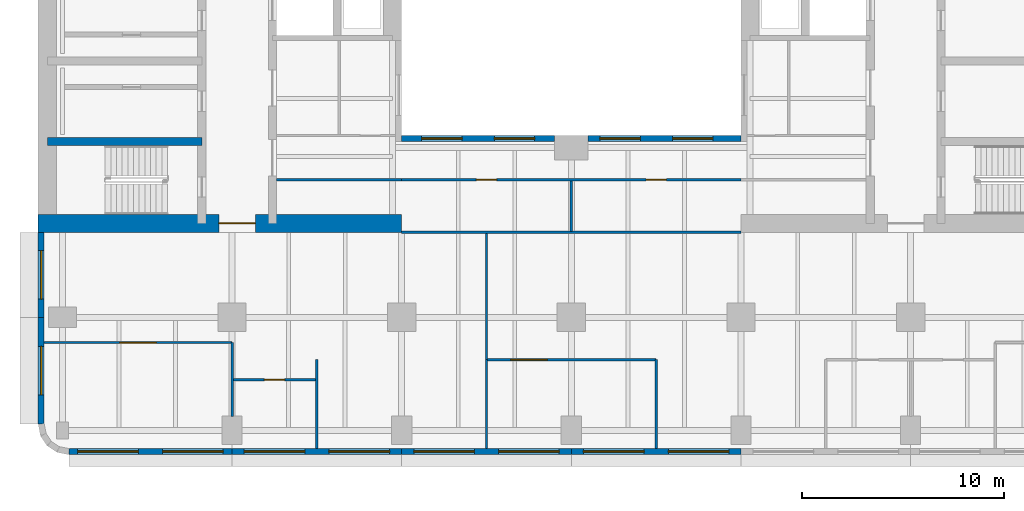
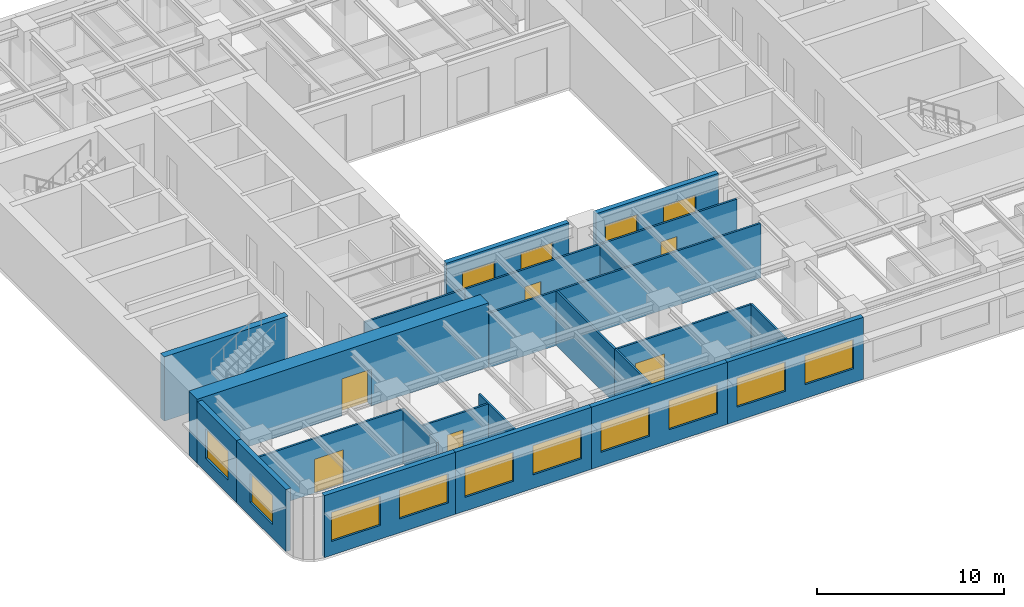
# One storey, part 3 of 11: 22 walls, 14 windows, 6 doors, 20 openings.
"""IFC4 building model written with IfcOpenShell, lengths in metres."""

from ifc_helpers import new_model, si_unit, direction, frame, frame_2d, origin, place, context, subcontext, project, spatial, rectangle, extrude, material, layer, layer_set, type_object, element, fill, save


model = new_model("IFC4")

# Units and contexts
model_context = context("Model", 3, precision=1e-05, world=origin(), true_north=direction((0.0, 1.0)))
body_context = subcontext(model_context, "Body", "Model", "MODEL_VIEW")
ifc_project = project(units=[si_unit("LENGTHUNIT", "METRE"), si_unit("AREAUNIT", "SQUARE_METRE"), si_unit("VOLUMEUNIT", "CUBIC_METRE"), si_unit("PLANEANGLEUNIT", "RADIAN"), si_unit("MASSUNIT", "GRAM", prefix="KILO")], contexts=[model_context])

# Site, building, storey
site_placement = place(None, origin())
site = spatial("IfcSite", under=ifc_project, at=site_placement, CompositionType="ELEMENT")
building_placement = place(site_placement, origin())
building = spatial("IfcBuilding", under=site, at=building_placement, Name="Claustro Exchange Tower", CompositionType="ELEMENT")
storey_placement = place(building_placement, frame((0.0, 0.0, 155.39990234375)))
storey = spatial("IfcBuildingStorey", under=building, at=storey_placement, Name="L35", CompositionType="ELEMENT", Elevation=155.39990234375)

# Wall, opening, door
ifc_material_1 = material(Name="Laminated glass in aluminium frame", Category="aluminium")
ifc_layer_1 = layer(ifc_material_1, 0.1201171875)
ifc_layer_set_1 = layer_set([ifc_layer_1], Name="Laminated glass in aluminium frame")
wall_type_1 = type_object("IfcWallType", Name="P2 120 glazed partition", PredefinedType="PARTITIONING", material=ifc_layer_set_1)
wall_1_placement = place(storey_placement, frame((-0.902099609375, 7.14990234375, 0.0), z_axis=(0.0, 0.0, 1.0), x_axis=(1.0, 0.0, 0.0)))
wall_1 = element("IfcWall", 1, at=wall_1_placement, inside=storey, type_object=wall_type_1, Name="Partition P2 L35", PredefinedType="PARTITIONING", context=body_context, shape_type="SweptSolid", body=[
    extrude(rectangle(XDim=9.302001953125, YDim=0.1201171875, at=frame_2d((4.65087890625, 0.0))), origin(), (0.0, 0.0, 1.0), 3.550048828125),
])
opening_1_placement = place(wall_1_placement, frame((3.751953125, 0.0, 0.0)))
opening_1 = element("IfcOpeningElement", 2, at=opening_1_placement, cuts=wall_1, Name="Opening D2", PredefinedType="OPENING", context=body_context, shape_type="SweptSolid", body=[
    extrude(rectangle(XDim=1.800048828125, YDim=2.199951171875, at=frame_2d((0.89990234375, 1.10009765625))), frame((0.0, 0.070068359375, 0.0), z_axis=(0.0, -1.0, 0.0), x_axis=(1.0, 0.0, 0.0)), (0.0, 0.0, 1.0), 0.14013671875),
])
ifc_material_2 = material(Name="Timber door, oak veneer", Category="wood")
door_type_1 = type_object("IfcDoorType", Name="D2 1800 x 2200 double door", OperationType="DOUBLE_DOOR_SINGLE_SWING", PredefinedType="DOOR", material=ifc_material_2)
door_1_placement = place(opening_1_placement, frame((1.800048828125, 0.0, 0.0), z_axis=(0.0, 0.0, 1.0), x_axis=(-1.0, 0.0, 0.0)))
door_1 = element("IfcDoor", 3, at=door_1_placement, inside=storey, type_object=door_type_1, Name="Double door D2 L35", OperationType="DOUBLE_DOOR_SINGLE_SWING", OverallHeight=2.199951171875, OverallWidth=1.800048828125, PredefinedType="DOOR", context=body_context, shape_type="SweptSolid", body=[
    extrude(rectangle(XDim=1.800048828125, YDim=2.199951171875, at=frame_2d((0.89990234375, 1.10009765625))), frame((0.0, 0.02490234375, 0.0), z_axis=(0.0, -1.0, 0.0), x_axis=(1.0, 0.0, 0.0)), (0.0, 0.0, 1.0), 0.050048828125),
])
fill(opening_1, door_1)

wall_2_placement = place(storey_placement, frame((8.4580078125, 5.300048828125, 0.0), z_axis=(0.0, 0.0, 1.0), x_axis=(1.0, 0.0, 0.0)))
wall_2 = element("IfcWall", 4, at=wall_2_placement, inside=storey, type_object=wall_type_1, Name="Partition P2 L35", PredefinedType="PARTITIONING", context=body_context, shape_type="SweptSolid", body=[
    extrude(rectangle(XDim=4.083984375, YDim=0.1201171875, at=frame_2d((2.0419921875, 0.0))), origin(), (0.0, 0.0, 1.0), 3.550048828125),
])
opening_2_placement = place(wall_2_placement, frame((1.5419921875, 0.0, 0.0)))
opening_2 = element("IfcOpeningElement", 5, at=opening_2_placement, cuts=wall_2, Name="Opening D7", PredefinedType="OPENING", context=body_context, shape_type="SweptSolid", body=[
    extrude(rectangle(XDim=1.0, YDim=2.39990234375, at=frame_2d((0.5, 1.199951171875))), frame((0.0, 0.070068359375, 0.0), z_axis=(0.0, -1.0, 0.0), x_axis=(1.0, 0.0, 0.0)), (0.0, 0.0, 1.0), 0.14013671875),
])
ifc_material_3 = material(Name="Glass door in aluminium frame", Category="aluminium")
door_type_2 = type_object("IfcDoorType", Name="D7 1000 x 2400 glazed door", OperationType="SINGLE_SWING_LEFT", PredefinedType="DOOR", material=ifc_material_3)
door_2_placement = place(opening_2_placement, frame((1.0, 0.0, 0.0), z_axis=(0.0, 0.0, 1.0), x_axis=(-1.0, 0.0, 0.0)))
door_2 = element("IfcDoor", 6, at=door_2_placement, inside=storey, type_object=door_type_2, Name="Door D7 L35", OperationType="SINGLE_SWING_LEFT", OverallHeight=2.39990234375, OverallWidth=1.0, PredefinedType="DOOR", context=body_context, shape_type="SweptSolid", body=[
    extrude(rectangle(XDim=1.0, YDim=2.39990234375, at=frame_2d((0.5, 1.199951171875))), frame((0.0, 0.02490234375, 0.0), z_axis=(0.0, -1.0, 0.0), x_axis=(1.0, 0.0, 0.0)), (0.0, 0.0, 1.0), 0.050048828125),
])
fill(opening_2, door_2)

# Walls
wall_3_placement = place(storey_placement, frame((8.39990234375, 3.4990234375, 0.0), z_axis=(0.0, 0.0, 1.0), x_axis=(0.0, 1.0, 0.0)))
element("IfcWall", 7, at=wall_3_placement, inside=storey, type_object=wall_type_1, Name="Partition P2 L35", PredefinedType="PARTITIONING", context=body_context, shape_type="SweptSolid", body=[
    extrude(rectangle(XDim=3.65087890625, YDim=0.1201171875, at=frame_2d((1.825439453125, 0.0))), origin(), (0.0, 0.0, 1.0), 3.550048828125),
])
wall_4_placement = place(storey_placement, frame((12.60009765625, 1.89794921875, 0.0), z_axis=(0.0, 0.0, 1.0), x_axis=(0.0, 1.0, 0.0)))
element("IfcWall", 8, at=wall_4_placement, inside=storey, type_object=wall_type_1, Name="Partition P2 L35", PredefinedType="PARTITIONING", context=body_context, shape_type="SweptSolid", body=[
    extrude(rectangle(XDim=4.402099609375, YDim=0.1201171875, at=frame_2d((2.201171875, 0.0))), origin(), (0.0, 0.0, 1.0), 3.56005859375),
])

# Wall, opening, door
wall_5_placement = place(storey_placement, frame((21.05810546875, 6.300048828125, 0.0), z_axis=(0.0, 0.0, 1.0), x_axis=(1.0, 0.0, 0.0)))
wall_5 = element("IfcWall", 9, at=wall_5_placement, inside=storey, type_object=wall_type_1, Name="Partition P2 L35", PredefinedType="PARTITIONING", context=body_context, shape_type="SweptSolid", body=[
    extrude(rectangle(XDim=8.341796875, YDim=0.1201171875, at=frame_2d((4.1708984375, 0.0))), origin(), (0.0, 0.0, 1.0), 3.550048828125),
])
opening_3_placement = place(wall_5_placement, frame((1.14208984375, 0.0, 0.0)))
opening_3 = element("IfcOpeningElement", 10, at=opening_3_placement, cuts=wall_5, Name="Opening D2", PredefinedType="OPENING", context=body_context, shape_type="SweptSolid", body=[
    extrude(rectangle(XDim=1.800048828125, YDim=2.199951171875, at=frame_2d((0.89990234375, 1.10009765625))), frame((0.0, 0.070068359375, 0.0), z_axis=(0.0, -1.0, 0.0), x_axis=(1.0, 0.0, 0.0)), (0.0, 0.0, 1.0), 0.14013671875),
])
door_3_placement = place(opening_3_placement, frame((1.800048828125, 0.0, 0.0), z_axis=(0.0, 0.0, 1.0), x_axis=(-1.0, 0.0, 0.0)))
door_3 = element("IfcDoor", 11, at=door_3_placement, inside=storey, type_object=door_type_1, Name="Double door D2 L35", OperationType="DOUBLE_DOOR_SINGLE_SWING", OverallHeight=2.199951171875, OverallWidth=1.800048828125, PredefinedType="DOOR", context=body_context, shape_type="SweptSolid", body=[
    extrude(rectangle(XDim=1.800048828125, YDim=2.199951171875, at=frame_2d((0.89990234375, 1.10009765625))), frame((0.0, 0.02490234375, 0.0), z_axis=(0.0, -1.0, 0.0), x_axis=(1.0, 0.0, 0.0)), (0.0, 0.0, 1.0), 0.050048828125),
])
fill(opening_3, door_3)

# Walls
wall_6_placement = place(storey_placement, frame((21.0, 1.89794921875, 0.0), z_axis=(0.0, 0.0, 1.0), x_axis=(0.0, 1.0, 0.0)))
element("IfcWall", 12, at=wall_6_placement, inside=storey, type_object=wall_type_1, Name="Partition P2 L35", PredefinedType="PARTITIONING", context=body_context, shape_type="SweptSolid", body=[
    extrude(rectangle(XDim=4.404052734375, YDim=0.1201171875, at=frame_2d((2.2021484375, 0.0))), origin(), (0.0, 0.0, 1.0), 3.56005859375),
])
wall_7_placement = place(storey_placement, frame((29.39990234375, 1.89794921875, 0.0), z_axis=(0.0, 0.0, 1.0), x_axis=(0.0, 1.0, 0.0)))
element("IfcWall", 13, at=wall_7_placement, inside=storey, type_object=wall_type_1, Name="Partition P2 L35", PredefinedType="PARTITIONING", context=body_context, shape_type="SweptSolid", body=[
    extrude(rectangle(XDim=4.402099609375, YDim=0.1201171875, at=frame_2d((2.201171875, 0.0))), origin(), (0.0, 0.0, 1.0), 3.56005859375),
])
wall_8_placement = place(storey_placement, frame((21.0, 6.298095703125, 0.0), z_axis=(0.0, 0.0, 1.0), x_axis=(0.0, 1.0, 0.0)))
element("IfcWall", 14, at=wall_8_placement, inside=storey, type_object=wall_type_1, Name="Partition P2 L35", PredefinedType="PARTITIONING", context=body_context, shape_type="SweptSolid", body=[
    extrude(rectangle(XDim=6.243896484375, YDim=0.1201171875, at=frame_2d((3.1220703125, 0.0))), origin(), (0.0, 0.0, 1.0), 3.550048828125),
])
wall_9_placement = place(storey_placement, frame((10.597900390625, 15.199951171875, 0.0), z_axis=(0.0, 0.0, 1.0), x_axis=(1.0, 0.0, 0.0)))
element("IfcWall", 15, at=wall_9_placement, inside=storey, type_object=wall_type_1, Name="Partition P2 L35", PredefinedType="PARTITIONING", context=body_context, shape_type="SweptSolid", body=[
    extrude(rectangle(XDim=6.2041015625, YDim=0.1201171875, at=frame_2d((3.10205078125, 0.0))), origin(), (0.0, 0.0, 1.0), 3.550048828125),
])
wall_10_placement = place(storey_placement, frame((25.199951171875, 12.657958984375, 0.0), z_axis=(0.0, 0.0, 1.0), x_axis=(0.0, 1.0, 0.0)))
element("IfcWall", 16, at=wall_10_placement, inside=storey, type_object=wall_type_1, Name="Partition P2 L35", PredefinedType="PARTITIONING", context=body_context, shape_type="SweptSolid", body=[
    extrude(rectangle(XDim=2.484130859375, YDim=0.1201171875, at=frame_2d((1.2421875, 0.0))), origin(), (0.0, 0.0, 1.0), 3.550048828125),
])

# Wall, openings, doors
wall_11_placement = place(storey_placement, frame((16.798095703125, 15.199951171875, 0.0), z_axis=(0.0, 0.0, 1.0), x_axis=(1.0, 0.0, 0.0)))
wall_11 = element("IfcWall", 17, at=wall_11_placement, inside=storey, type_object=wall_type_1, Name="Partition P2 L35", PredefinedType="PARTITIONING", context=body_context, shape_type="SweptSolid", body=[
    extrude(rectangle(XDim=16.803955078125, YDim=0.1201171875, at=frame_2d((8.40185546875, 0.0))), origin(), (0.0, 0.0, 1.0), 3.550048828125),
])
opening_4_placement = place(wall_11_placement, frame((3.701904296875, 0.0, 0.0)))
opening_4 = element("IfcOpeningElement", 18, at=opening_4_placement, cuts=wall_11, Name="Opening D7", PredefinedType="OPENING", context=body_context, shape_type="SweptSolid", body=[
    extrude(rectangle(XDim=1.0, YDim=2.39990234375, at=frame_2d((0.5, 1.199951171875))), frame((0.0, 0.070068359375, 0.0), z_axis=(0.0, -1.0, 0.0), x_axis=(1.0, 0.0, 0.0)), (0.0, 0.0, 1.0), 0.14013671875),
])
opening_5_placement = place(wall_11_placement, frame((12.10205078125, 0.0, 0.0)))
opening_5 = element("IfcOpeningElement", 19, at=opening_5_placement, cuts=wall_11, Name="Opening D7", PredefinedType="OPENING", context=body_context, shape_type="SweptSolid", body=[
    extrude(rectangle(XDim=1.0, YDim=2.39990234375, at=frame_2d((0.5, 1.199951171875))), frame((0.0, 0.070068359375, 0.0), z_axis=(0.0, -1.0, 0.0), x_axis=(1.0, 0.0, 0.0)), (0.0, 0.0, 1.0), 0.14013671875),
])
door_4_placement = place(opening_4_placement, frame((1.0, 0.0, 0.0), z_axis=(0.0, 0.0, 1.0), x_axis=(-1.0, 0.0, 0.0)))
door_4 = element("IfcDoor", 20, at=door_4_placement, inside=storey, type_object=door_type_2, Name="Door D7 L35", OperationType="SINGLE_SWING_RIGHT", OverallHeight=2.39990234375, OverallWidth=1.0, PredefinedType="DOOR", context=body_context, shape_type="SweptSolid", body=[
    extrude(rectangle(XDim=1.0, YDim=2.39990234375, at=frame_2d((0.5, 1.199951171875))), frame((0.0, 0.02490234375, 0.0), z_axis=(0.0, -1.0, 0.0), x_axis=(1.0, 0.0, 0.0)), (0.0, 0.0, 1.0), 0.050048828125),
])
fill(opening_4, door_4)
door_5_placement = place(opening_5_placement, frame((1.0, 0.0, 0.0), z_axis=(0.0, 0.0, 1.0), x_axis=(-1.0, 0.0, 0.0)))
door_5 = element("IfcDoor", 21, at=door_5_placement, inside=storey, type_object=door_type_2, Name="Door D7 L35", OperationType="SINGLE_SWING_RIGHT", OverallHeight=2.39990234375, OverallWidth=1.0, PredefinedType="DOOR", context=body_context, shape_type="SweptSolid", body=[
    extrude(rectangle(XDim=1.0, YDim=2.39990234375, at=frame_2d((0.5, 1.199951171875))), frame((0.0, 0.02490234375, 0.0), z_axis=(0.0, -1.0, 0.0), x_axis=(1.0, 0.0, 0.0)), (0.0, 0.0, 1.0), 0.050048828125),
])
fill(opening_5, door_5)

# Wall
wall_12_placement = place(storey_placement, frame((16.800048828125, 12.60009765625, 0.0), z_axis=(0.0, 0.0, 1.0), x_axis=(1.0, 0.0, 0.0)))
element("IfcWall", 22, at=wall_12_placement, inside=storey, type_object=wall_type_1, Name="Partition P2 L35", PredefinedType="PARTITIONING", context=body_context, shape_type="SweptSolid", body=[
    extrude(rectangle(XDim=16.800048828125, YDim=0.1201171875, at=frame_2d((8.39990234375, 0.0))), origin(), (0.0, 0.0, 1.0), 3.550048828125),
])

# Wall, openings, windows
ifc_material_4 = material(Name="Concrete HA-40 (C40/50), precast, white cement, acid-etched", Category="concrete")
ifc_layer_2 = layer(ifc_material_4, 0.300048828125)
ifc_layer_set_2 = layer_set([ifc_layer_2], Name="Concrete HA-40 (C40/50), precast, white cement, acid-etched")
wall_type_2 = type_object("IfcWallType", Name="PC1 300 precast concrete pier panel", PredefinedType="SOLIDWALL", material=ifc_layer_set_2)
wall_13_placement = place(storey_placement, frame((33.60009765625, 1.75, 0.0), z_axis=(0.0, 0.0, 1.0), x_axis=(-1.0, 0.0, 0.0)))
wall_13 = element("IfcWall", 23, at=wall_13_placement, inside=storey, type_object=wall_type_2, Name="Precast pier panel PC1 L35", PredefinedType="SOLIDWALL", context=body_context, shape_type="SweptSolid", body=[
    extrude(rectangle(XDim=8.400146484375, YDim=0.300048828125, at=frame_2d((4.2001953125, 0.0))), origin(), (0.0, 0.0, 1.0), 4.050048828125),
])
opening_6_placement = place(wall_13_placement, frame((0.60009765625, 0.0, 0.89990234375)))
opening_6 = element("IfcOpeningElement", 24, at=opening_6_placement, cuts=wall_13, Name="Opening W1", PredefinedType="OPENING", context=body_context, shape_type="SweptSolid", body=[
    extrude(rectangle(XDim=3.0, YDim=1.89990234375, at=frame_2d((1.5, 0.949951171875))), frame((0.0, 0.159912109375, 0.0), z_axis=(0.0, -1.0, 0.0), x_axis=(1.0, 0.0, 0.0)), (0.0, 0.0, 1.0), 0.320068359375),
])
opening_7_placement = place(wall_13_placement, frame((4.800048828125, 0.0, 0.89990234375)))
opening_7 = element("IfcOpeningElement", 25, at=opening_7_placement, cuts=wall_13, Name="Opening W1", PredefinedType="OPENING", context=body_context, shape_type="SweptSolid", body=[
    extrude(rectangle(XDim=3.0, YDim=1.89990234375, at=frame_2d((1.5, 0.949951171875))), frame((0.0, 0.159912109375, 0.0), z_axis=(0.0, -1.0, 0.0), x_axis=(1.0, 0.0, 0.0)), (0.0, 0.0, 1.0), 0.320068359375),
])
ifc_material_5 = material(Name="Aluminium frame, clear double glazing", Category="aluminium")
window_type_1 = type_object("IfcWindowType", Name="W1 3000 x 1900 window", PartitioningType="SINGLE_PANEL", PredefinedType="WINDOW", material=ifc_material_5)
window_1_placement = place(opening_6_placement, origin())
window_1 = element("IfcWindow", 26, at=window_1_placement, inside=storey, type_object=window_type_1, Name="Window W1 L35", OverallHeight=1.89990234375, OverallWidth=3.0, PartitioningType="SINGLE_PANEL", PredefinedType="WINDOW", context=body_context, shape_type="SweptSolid", body=[
    extrude(rectangle(XDim=3.0, YDim=1.89990234375, at=frame_2d((1.5, 0.949951171875))), frame((0.0, 0.030029296875, 0.0), z_axis=(0.0, -1.0, 0.0), x_axis=(1.0, 0.0, 0.0)), (0.0, 0.0, 1.0), 0.06005859375),
])
fill(opening_6, window_1)
window_2_placement = place(opening_7_placement, origin())
window_2 = element("IfcWindow", 27, at=window_2_placement, inside=storey, type_object=window_type_1, Name="Window W1 L35", OverallHeight=1.89990234375, OverallWidth=3.0, PartitioningType="SINGLE_PANEL", PredefinedType="WINDOW", context=body_context, shape_type="SweptSolid", body=[
    extrude(rectangle(XDim=3.0, YDim=1.89990234375, at=frame_2d((1.5, 0.949951171875))), frame((0.0, 0.030029296875, 0.0), z_axis=(0.0, -1.0, 0.0), x_axis=(1.0, 0.0, 0.0)), (0.0, 0.0, 1.0), 0.06005859375),
])
fill(opening_7, window_2)

wall_14_placement = place(storey_placement, frame((25.199951171875, 1.75, 0.0), z_axis=(0.0, 0.0, 1.0), x_axis=(-1.0, 0.0, 0.0)))
wall_14 = element("IfcWall", 28, at=wall_14_placement, inside=storey, type_object=wall_type_2, Name="Precast pier panel PC1 L35", PredefinedType="SOLIDWALL", context=body_context, shape_type="SweptSolid", body=[
    extrude(rectangle(XDim=8.39990234375, YDim=0.300048828125, at=frame_2d((4.199951171875, 0.0))), origin(), (0.0, 0.0, 1.0), 4.050048828125),
])
opening_8_placement = place(wall_14_placement, frame((0.60009765625, 0.0, 0.89990234375)))
opening_8 = element("IfcOpeningElement", 29, at=opening_8_placement, cuts=wall_14, Name="Opening W1", PredefinedType="OPENING", context=body_context, shape_type="SweptSolid", body=[
    extrude(rectangle(XDim=3.0, YDim=1.89990234375, at=frame_2d((1.5, 0.949951171875))), frame((0.0, 0.159912109375, 0.0), z_axis=(0.0, -1.0, 0.0), x_axis=(1.0, 0.0, 0.0)), (0.0, 0.0, 1.0), 0.320068359375),
])
opening_9_placement = place(wall_14_placement, frame((4.800048828125, 0.0, 0.89990234375)))
opening_9 = element("IfcOpeningElement", 30, at=opening_9_placement, cuts=wall_14, Name="Opening W1", PredefinedType="OPENING", context=body_context, shape_type="SweptSolid", body=[
    extrude(rectangle(XDim=3.0, YDim=1.89990234375, at=frame_2d((1.5, 0.949951171875))), frame((0.0, 0.159912109375, 0.0), z_axis=(0.0, -1.0, 0.0), x_axis=(1.0, 0.0, 0.0)), (0.0, 0.0, 1.0), 0.320068359375),
])
window_3_placement = place(opening_8_placement, origin())
window_3 = element("IfcWindow", 31, at=window_3_placement, inside=storey, type_object=window_type_1, Name="Window W1 L35", OverallHeight=1.89990234375, OverallWidth=3.0, PartitioningType="SINGLE_PANEL", PredefinedType="WINDOW", context=body_context, shape_type="SweptSolid", body=[
    extrude(rectangle(XDim=3.0, YDim=1.89990234375, at=frame_2d((1.5, 0.949951171875))), frame((0.0, 0.030029296875, 0.0), z_axis=(0.0, -1.0, 0.0), x_axis=(1.0, 0.0, 0.0)), (0.0, 0.0, 1.0), 0.06005859375),
])
fill(opening_8, window_3)
window_4_placement = place(opening_9_placement, origin())
window_4 = element("IfcWindow", 32, at=window_4_placement, inside=storey, type_object=window_type_1, Name="Window W1 L35", OverallHeight=1.89990234375, OverallWidth=3.0, PartitioningType="SINGLE_PANEL", PredefinedType="WINDOW", context=body_context, shape_type="SweptSolid", body=[
    extrude(rectangle(XDim=3.0, YDim=1.89990234375, at=frame_2d((1.5, 0.949951171875))), frame((0.0, 0.030029296875, 0.0), z_axis=(0.0, -1.0, 0.0), x_axis=(1.0, 0.0, 0.0)), (0.0, 0.0, 1.0), 0.06005859375),
])
fill(opening_9, window_4)

wall_15_placement = place(storey_placement, frame((16.800048828125, 1.75, 0.0), z_axis=(0.0, 0.0, 1.0), x_axis=(-1.0, 0.0, 0.0)))
wall_15 = element("IfcWall", 33, at=wall_15_placement, inside=storey, type_object=wall_type_2, Name="Precast pier panel PC1 L35", PredefinedType="SOLIDWALL", context=body_context, shape_type="SweptSolid", body=[
    extrude(rectangle(XDim=8.400146484375, YDim=0.300048828125, at=frame_2d((4.2001953125, 0.0))), origin(), (0.0, 0.0, 1.0), 4.050048828125),
])
opening_10_placement = place(wall_15_placement, frame((0.60009765625, 0.0, 0.89990234375)))
opening_10 = element("IfcOpeningElement", 34, at=opening_10_placement, cuts=wall_15, Name="Opening W1", PredefinedType="OPENING", context=body_context, shape_type="SweptSolid", body=[
    extrude(rectangle(XDim=3.0, YDim=1.89990234375, at=frame_2d((1.5, 0.949951171875))), frame((0.0, 0.159912109375, 0.0), z_axis=(0.0, -1.0, 0.0), x_axis=(1.0, 0.0, 0.0)), (0.0, 0.0, 1.0), 0.320068359375),
])
opening_11_placement = place(wall_15_placement, frame((4.800048828125, 0.0, 0.89990234375)))
opening_11 = element("IfcOpeningElement", 35, at=opening_11_placement, cuts=wall_15, Name="Opening W1", PredefinedType="OPENING", context=body_context, shape_type="SweptSolid", body=[
    extrude(rectangle(XDim=3.0, YDim=1.89990234375, at=frame_2d((1.5, 0.949951171875))), frame((0.0, 0.159912109375, 0.0), z_axis=(0.0, -1.0, 0.0), x_axis=(1.0, 0.0, 0.0)), (0.0, 0.0, 1.0), 0.320068359375),
])
window_5_placement = place(opening_10_placement, origin())
window_5 = element("IfcWindow", 36, at=window_5_placement, inside=storey, type_object=window_type_1, Name="Window W1 L35", OverallHeight=1.89990234375, OverallWidth=3.0, PartitioningType="SINGLE_PANEL", PredefinedType="WINDOW", context=body_context, shape_type="SweptSolid", body=[
    extrude(rectangle(XDim=3.0, YDim=1.89990234375, at=frame_2d((1.5, 0.949951171875))), frame((0.0, 0.030029296875, 0.0), z_axis=(0.0, -1.0, 0.0), x_axis=(1.0, 0.0, 0.0)), (0.0, 0.0, 1.0), 0.06005859375),
])
fill(opening_10, window_5)
window_6_placement = place(opening_11_placement, origin())
window_6 = element("IfcWindow", 37, at=window_6_placement, inside=storey, type_object=window_type_1, Name="Window W1 L35", OverallHeight=1.89990234375, OverallWidth=3.0, PartitioningType="SINGLE_PANEL", PredefinedType="WINDOW", context=body_context, shape_type="SweptSolid", body=[
    extrude(rectangle(XDim=3.0, YDim=1.89990234375, at=frame_2d((1.5, 0.949951171875))), frame((0.0, 0.030029296875, 0.0), z_axis=(0.0, -1.0, 0.0), x_axis=(1.0, 0.0, 0.0)), (0.0, 0.0, 1.0), 0.06005859375),
])
fill(opening_11, window_6)

wall_16_placement = place(storey_placement, frame((8.39990234375, 1.75, 0.0), z_axis=(0.0, 0.0, 1.0), x_axis=(-1.0, 0.0, 0.0)))
wall_16 = element("IfcWall", 38, at=wall_16_placement, inside=storey, type_object=wall_type_2, Name="Precast pier panel PC1 L35", PredefinedType="SOLIDWALL", context=body_context, shape_type="SweptSolid", body=[
    extrude(rectangle(XDim=8.085205078125, YDim=0.300048828125, at=frame_2d((4.04248046875, 0.0))), origin(), (0.0, 0.0, 1.0), 4.050048828125),
])
opening_12_placement = place(wall_16_placement, frame((0.442626953125, 0.0, 0.89990234375)))
opening_12 = element("IfcOpeningElement", 39, at=opening_12_placement, cuts=wall_16, Name="Opening W1", PredefinedType="OPENING", context=body_context, shape_type="SweptSolid", body=[
    extrude(rectangle(XDim=3.0, YDim=1.89990234375, at=frame_2d((1.5, 0.949951171875))), frame((0.0, 0.159912109375, 0.0), z_axis=(0.0, -1.0, 0.0), x_axis=(1.0, 0.0, 0.0)), (0.0, 0.0, 1.0), 0.320068359375),
])
opening_13_placement = place(wall_16_placement, frame((4.642578125, 0.0, 0.89990234375)))
opening_13 = element("IfcOpeningElement", 40, at=opening_13_placement, cuts=wall_16, Name="Opening W1", PredefinedType="OPENING", context=body_context, shape_type="SweptSolid", body=[
    extrude(rectangle(XDim=3.0, YDim=1.89990234375, at=frame_2d((1.5, 0.949951171875))), frame((0.0, 0.159912109375, 0.0), z_axis=(0.0, -1.0, 0.0), x_axis=(1.0, 0.0, 0.0)), (0.0, 0.0, 1.0), 0.320068359375),
])
window_7_placement = place(opening_12_placement, origin())
window_7 = element("IfcWindow", 41, at=window_7_placement, inside=storey, type_object=window_type_1, Name="Window W1 L35", OverallHeight=1.89990234375, OverallWidth=3.0, PartitioningType="SINGLE_PANEL", PredefinedType="WINDOW", context=body_context, shape_type="SweptSolid", body=[
    extrude(rectangle(XDim=3.0, YDim=1.89990234375, at=frame_2d((1.5, 0.949951171875))), frame((0.0, 0.030029296875, 0.0), z_axis=(0.0, -1.0, 0.0), x_axis=(1.0, 0.0, 0.0)), (0.0, 0.0, 1.0), 0.06005859375),
])
fill(opening_12, window_7)
window_8_placement = place(opening_13_placement, origin())
window_8 = element("IfcWindow", 42, at=window_8_placement, inside=storey, type_object=window_type_1, Name="Window W1 L35", OverallHeight=1.89990234375, OverallWidth=3.0, PartitioningType="SINGLE_PANEL", PredefinedType="WINDOW", context=body_context, shape_type="SweptSolid", body=[
    extrude(rectangle(XDim=3.0, YDim=1.89990234375, at=frame_2d((1.5, 0.949951171875))), frame((0.0, 0.030029296875, 0.0), z_axis=(0.0, -1.0, 0.0), x_axis=(1.0, 0.0, 0.0)), (0.0, 0.0, 1.0), 0.06005859375),
])
fill(opening_13, window_8)

# Wall, opening, window
wall_17_placement = place(storey_placement, frame((-1.050048828125, 3.11474609375, 0.0), z_axis=(0.0, 0.0, 1.0), x_axis=(0.0, 1.0, 0.0)))
wall_17 = element("IfcWall", 43, at=wall_17_placement, inside=storey, type_object=wall_type_2, Name="Precast pier panel PC1 L35", PredefinedType="SOLIDWALL", context=body_context, shape_type="SweptSolid", body=[
    extrude(rectangle(XDim=5.28515625, YDim=0.300048828125, at=frame_2d((2.642578125, 0.0))), origin(), (0.0, 0.0, 1.0), 4.050048828125),
])
opening_14_placement = place(wall_17_placement, frame((1.442626953125, 0.0, 0.89990234375)))
opening_14 = element("IfcOpeningElement", 44, at=opening_14_placement, cuts=wall_17, Name="Opening W2", PredefinedType="OPENING", context=body_context, shape_type="SweptSolid", body=[
    extrude(rectangle(XDim=2.39990234375, YDim=1.89990234375, at=frame_2d((1.199951171875, 0.949951171875))), frame((0.0, 0.159912109375, 0.0), z_axis=(0.0, -1.0, 0.0), x_axis=(1.0, 0.0, 0.0)), (0.0, 0.0, 1.0), 0.320068359375),
])
ifc_material_6 = material(Name="Aluminium frame, clear double glazing", Category="aluminium")
window_type_2 = type_object("IfcWindowType", Name="W2 2400 x 1900 window", PartitioningType="SINGLE_PANEL", PredefinedType="WINDOW", material=ifc_material_6)
window_9_placement = place(opening_14_placement, origin())
window_9 = element("IfcWindow", 45, at=window_9_placement, inside=storey, type_object=window_type_2, Name="Window W2 L35", OverallHeight=1.89990234375, OverallWidth=2.39990234375, PartitioningType="SINGLE_PANEL", PredefinedType="WINDOW", context=body_context, shape_type="SweptSolid", body=[
    extrude(rectangle(XDim=2.39990234375, YDim=1.89990234375, at=frame_2d((1.199951171875, 0.949951171875))), frame((0.0, 0.030029296875, 0.0), z_axis=(0.0, -1.0, 0.0), x_axis=(1.0, 0.0, 0.0)), (0.0, 0.0, 1.0), 0.06005859375),
])
fill(opening_14, window_9)

wall_18_placement = place(storey_placement, frame((-1.050048828125, 8.39990234375, 0.0), z_axis=(0.0, 0.0, 1.0), x_axis=(0.0, 1.0, 0.0)))
wall_18 = element("IfcWall", 46, at=wall_18_placement, inside=storey, type_object=wall_type_2, Name="Precast pier panel PC1 L35", PredefinedType="SOLIDWALL", context=body_context, shape_type="SweptSolid", body=[
    extrude(rectangle(XDim=4.2001953125, YDim=0.300048828125, at=frame_2d((2.10009765625, 0.0))), origin(), (0.0, 0.0, 1.0), 4.050048828125),
])
opening_15_placement = place(wall_18_placement, frame((0.89990234375, 0.0, 0.89990234375)))
opening_15 = element("IfcOpeningElement", 47, at=opening_15_placement, cuts=wall_18, Name="Opening W2", PredefinedType="OPENING", context=body_context, shape_type="SweptSolid", body=[
    extrude(rectangle(XDim=2.39990234375, YDim=1.89990234375, at=frame_2d((1.199951171875, 0.949951171875))), frame((0.0, 0.159912109375, 0.0), z_axis=(0.0, -1.0, 0.0), x_axis=(1.0, 0.0, 0.0)), (0.0, 0.0, 1.0), 0.320068359375),
])
window_10_placement = place(opening_15_placement, origin())
window_10 = element("IfcWindow", 48, at=window_10_placement, inside=storey, type_object=window_type_2, Name="Window W2 L35", OverallHeight=1.89990234375, OverallWidth=2.39990234375, PartitioningType="SINGLE_PANEL", PredefinedType="WINDOW", context=body_context, shape_type="SweptSolid", body=[
    extrude(rectangle(XDim=2.39990234375, YDim=1.89990234375, at=frame_2d((1.199951171875, 0.949951171875))), frame((0.0, 0.030029296875, 0.0), z_axis=(0.0, -1.0, 0.0), x_axis=(1.0, 0.0, 0.0)), (0.0, 0.0, 1.0), 0.06005859375),
])
fill(opening_15, window_10)

# Wall, openings, windows
wall_19_placement = place(storey_placement, frame((16.800048828125, 17.25, 0.0), z_axis=(0.0, 0.0, 1.0), x_axis=(1.0, 0.0, 0.0)))
wall_19 = element("IfcWall", 49, at=wall_19_placement, inside=storey, type_object=wall_type_2, Name="Precast pier panel PC1 L35", PredefinedType="SOLIDWALL", context=body_context, shape_type="SweptSolid", body=[
    extrude(rectangle(XDim=7.574951171875, YDim=0.300048828125, at=frame_2d((3.78759765625, 0.0))), origin(), (0.0, 0.0, 1.0), 4.050048828125),
])
opening_16_placement = place(wall_19_placement, frame((0.987548828125, 0.0, 0.10009765625)))
opening_16 = element("IfcOpeningElement", 50, at=opening_16_placement, cuts=wall_19, Name="Opening W-A", PredefinedType="OPENING", context=body_context, shape_type="SweptSolid", body=[
    extrude(rectangle(XDim=2.0, YDim=3.0, at=frame_2d((1.0, 1.5))), frame((0.0, 0.159912109375, 0.0), z_axis=(0.0, -1.0, 0.0), x_axis=(1.0, 0.0, 0.0)), (0.0, 0.0, 1.0), 0.320068359375),
])
opening_17_placement = place(wall_19_placement, frame((4.58740234375, 0.0, 0.10009765625)))
opening_17 = element("IfcOpeningElement", 51, at=opening_17_placement, cuts=wall_19, Name="Opening W-A", PredefinedType="OPENING", context=body_context, shape_type="SweptSolid", body=[
    extrude(rectangle(XDim=2.0, YDim=3.0, at=frame_2d((1.0, 1.5))), frame((0.0, 0.159912109375, 0.0), z_axis=(0.0, -1.0, 0.0), x_axis=(1.0, 0.0, 0.0)), (0.0, 0.0, 1.0), 0.320068359375),
])
ifc_material_7 = material(Name="Aluminium frame, clear double glazing", Category="aluminium")
window_type_3 = type_object("IfcWindowType", Name="W-A 2000 x 3000 arcade window", PartitioningType="SINGLE_PANEL", PredefinedType="WINDOW", material=ifc_material_7)
window_11_placement = place(opening_16_placement, origin())
window_11 = element("IfcWindow", 52, at=window_11_placement, inside=storey, type_object=window_type_3, Name="Window W-A L35", OverallHeight=3.0, OverallWidth=2.0, PartitioningType="SINGLE_PANEL", PredefinedType="WINDOW", context=body_context, shape_type="SweptSolid", body=[
    extrude(rectangle(XDim=2.0, YDim=3.0, at=frame_2d((1.0, 1.5))), frame((0.0, 0.030029296875, 0.0), z_axis=(0.0, -1.0, 0.0), x_axis=(1.0, 0.0, 0.0)), (0.0, 0.0, 1.0), 0.06005859375),
])
fill(opening_16, window_11)
window_12_placement = place(opening_17_placement, origin())
window_12 = element("IfcWindow", 53, at=window_12_placement, inside=storey, type_object=window_type_3, Name="Window W-A L35", OverallHeight=3.0, OverallWidth=2.0, PartitioningType="SINGLE_PANEL", PredefinedType="WINDOW", context=body_context, shape_type="SweptSolid", body=[
    extrude(rectangle(XDim=2.0, YDim=3.0, at=frame_2d((1.0, 1.5))), frame((0.0, 0.030029296875, 0.0), z_axis=(0.0, -1.0, 0.0), x_axis=(1.0, 0.0, 0.0)), (0.0, 0.0, 1.0), 0.06005859375),
])
fill(opening_17, window_12)

wall_20_placement = place(storey_placement, frame((26.02490234375, 17.25, 0.0), z_axis=(0.0, 0.0, 1.0), x_axis=(1.0, 0.0, 0.0)))
wall_20 = element("IfcWall", 54, at=wall_20_placement, inside=storey, type_object=wall_type_2, Name="Precast pier panel PC1 L35", PredefinedType="SOLIDWALL", context=body_context, shape_type="SweptSolid", body=[
    extrude(rectangle(XDim=7.5751953125, YDim=0.300048828125, at=frame_2d((3.78759765625, 0.0))), origin(), (0.0, 0.0, 1.0), 4.050048828125),
])
opening_18_placement = place(wall_20_placement, frame((0.58740234375, 0.0, 0.10009765625)))
opening_18 = element("IfcOpeningElement", 55, at=opening_18_placement, cuts=wall_20, Name="Opening W-A", PredefinedType="OPENING", context=body_context, shape_type="SweptSolid", body=[
    extrude(rectangle(XDim=2.0, YDim=3.0, at=frame_2d((1.0, 1.5))), frame((0.0, 0.159912109375, 0.0), z_axis=(0.0, -1.0, 0.0), x_axis=(1.0, 0.0, 0.0)), (0.0, 0.0, 1.0), 0.320068359375),
])
opening_19_placement = place(wall_20_placement, frame((4.1875, 0.0, 0.10009765625)))
opening_19 = element("IfcOpeningElement", 56, at=opening_19_placement, cuts=wall_20, Name="Opening W-A", PredefinedType="OPENING", context=body_context, shape_type="SweptSolid", body=[
    extrude(rectangle(XDim=2.0, YDim=3.0, at=frame_2d((1.0, 1.5))), frame((0.0, 0.159912109375, 0.0), z_axis=(0.0, -1.0, 0.0), x_axis=(1.0, 0.0, 0.0)), (0.0, 0.0, 1.0), 0.320068359375),
])
window_13_placement = place(opening_18_placement, origin())
window_13 = element("IfcWindow", 57, at=window_13_placement, inside=storey, type_object=window_type_3, Name="Window W-A L35", OverallHeight=3.0, OverallWidth=2.0, PartitioningType="SINGLE_PANEL", PredefinedType="WINDOW", context=body_context, shape_type="SweptSolid", body=[
    extrude(rectangle(XDim=2.0, YDim=3.0, at=frame_2d((1.0, 1.5))), frame((0.0, 0.030029296875, 0.0), z_axis=(0.0, -1.0, 0.0), x_axis=(1.0, 0.0, 0.0)), (0.0, 0.0, 1.0), 0.06005859375),
])
fill(opening_18, window_13)
window_14_placement = place(opening_19_placement, origin())
window_14 = element("IfcWindow", 58, at=window_14_placement, inside=storey, type_object=window_type_3, Name="Window W-A L35", OverallHeight=3.0, OverallWidth=2.0, PartitioningType="SINGLE_PANEL", PredefinedType="WINDOW", context=body_context, shape_type="SweptSolid", body=[
    extrude(rectangle(XDim=2.0, YDim=3.0, at=frame_2d((1.0, 1.5))), frame((0.0, 0.030029296875, 0.0), z_axis=(0.0, -1.0, 0.0), x_axis=(1.0, 0.0, 0.0)), (0.0, 0.0, 1.0), 0.06005859375),
])
fill(opening_19, window_14)

# Wall, opening, door
ifc_material_8 = material(Name="Concrete HA-70 (C70/85)", Category="concrete")
ifc_layer_3 = layer(ifc_material_8, 0.89990234375)
ifc_layer_set_3 = layer_set([ifc_layer_3], Name="Concrete HA-70 (C70/85)")
wall_type_3 = type_object("IfcWallType", Name="SW1 900 core shear wall", PredefinedType="SHEAR", material=ifc_layer_set_3)
wall_21_placement = place(storey_placement, frame((-1.199951171875, 13.050048828125, 0.0), z_axis=(0.0, 0.0, 1.0), x_axis=(1.0, 0.0, 0.0)))
wall_21 = element("IfcWall", 59, at=wall_21_placement, inside=storey, type_object=wall_type_3, Name="Core wall SW1 W core S face L35", PredefinedType="SHEAR", context=body_context, shape_type="SweptSolid", body=[
    extrude(rectangle(XDim=18.0, YDim=0.89990234375, at=frame_2d((9.0, 0.0))), origin(), (0.0, 0.0, 1.0), 4.2001953125),
])
opening_20_placement = place(wall_21_placement, frame((8.949951171875, 0.0, 0.0)))
opening_20 = element("IfcOpeningElement", 60, at=opening_20_placement, cuts=wall_21, Name="Opening D3", PredefinedType="OPENING", context=body_context, shape_type="SweptSolid", body=[
    extrude(rectangle(XDim=1.800048828125, YDim=2.39990234375, at=frame_2d((0.89990234375, 1.199951171875))), frame((0.0, 0.4599609375, 0.0), z_axis=(0.0, -1.0, 0.0), x_axis=(1.0, 0.0, 0.0)), (0.0, 0.0, 1.0), 0.919921875),
])
ifc_material_9 = material(Name="Steel fire door, painted", Category="steel")
door_type_3 = type_object("IfcDoorType", Name="D3 1800 x 2400 fire-rated lobby double door", OperationType="DOUBLE_DOOR_SINGLE_SWING", PredefinedType="DOOR", material=ifc_material_9)
door_6_placement = place(opening_20_placement, frame((1.800048828125, 0.0, 0.0), z_axis=(0.0, 0.0, 1.0), x_axis=(-1.0, 0.0, 0.0)))
door_6 = element("IfcDoor", 61, at=door_6_placement, inside=storey, type_object=door_type_3, Name="Lift lobby door D3 L35", OperationType="DOUBLE_DOOR_SINGLE_SWING", OverallHeight=2.39990234375, OverallWidth=1.800048828125, PredefinedType="DOOR", context=body_context, shape_type="SweptSolid", body=[
    extrude(rectangle(XDim=1.800048828125, YDim=2.39990234375, at=frame_2d((0.89990234375, 1.199951171875))), frame((0.0, 0.02490234375, 0.0), z_axis=(0.0, -1.0, 0.0), x_axis=(1.0, 0.0, 0.0)), (0.0, 0.0, 1.0), 0.050048828125),
])
fill(opening_20, door_6)

# Wall
ifc_material_10 = material(Name="Concrete HA-50 (C50/60)", Category="concrete")
ifc_layer_4 = layer(ifc_material_10, 0.39990234375)
ifc_layer_set_4 = layer_set([ifc_layer_4], Name="Concrete HA-50 (C50/60)")
wall_type_4 = type_object("IfcWallType", Name="SW4 400 internal core wall", PredefinedType="SHEAR", material=ifc_layer_set_4)
wall_22_placement = place(storey_placement, frame((-0.75, 17.10009765625, 0.0), z_axis=(0.0, 0.0, 1.0), x_axis=(1.0, 0.0, 0.0)))
element("IfcWall", 62, at=wall_22_placement, inside=storey, type_object=wall_type_4, Name="Internal core wall SW4 W core L35", PredefinedType="SHEAR", context=body_context, shape_type="SweptSolid", body=[
    extrude(rectangle(XDim=7.64990234375, YDim=0.39990234375, at=frame_2d((3.824951171875, 0.0))), origin(), (0.0, 0.0, 1.0), 4.2001953125),
])

save(model, "model.ifc")
